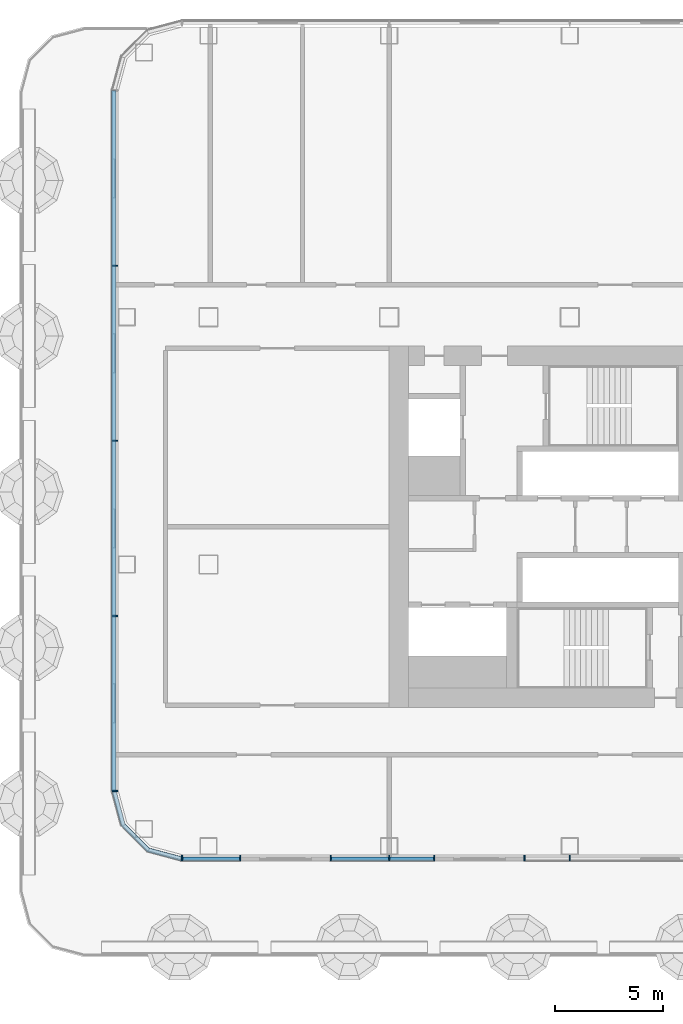
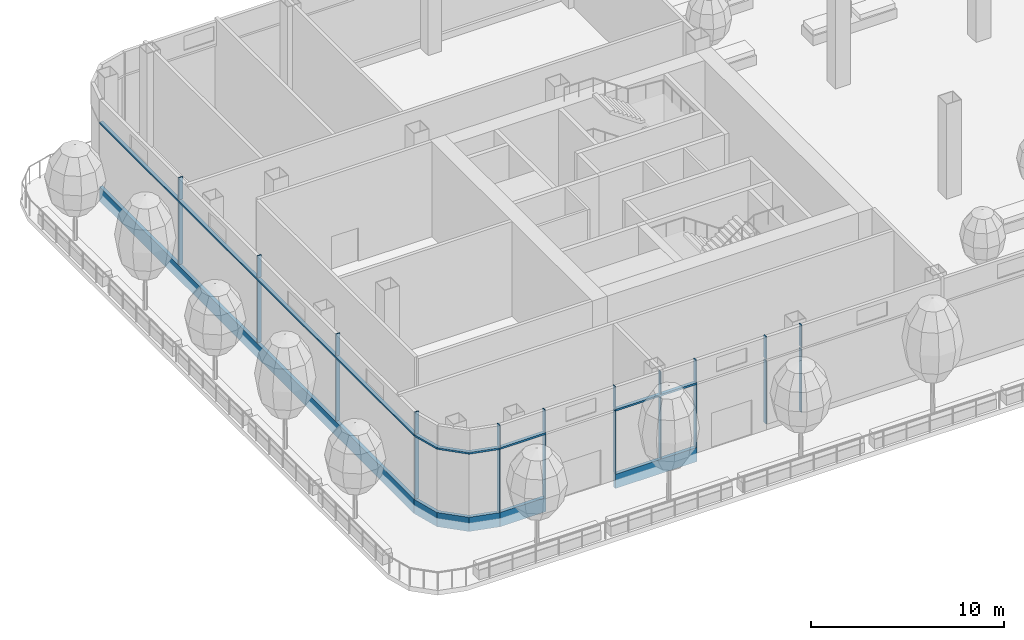
# One storey, part 2 of 44: 30 members, 3 elements without a shape of their own.
"""IFC4 building model written with IfcOpenShell, lengths in metres."""

from ifc_helpers import new_model, si_unit, direction, frame, origin, origin_2d, place, context, subcontext, project, spatial, polyline, rectangle, outline, extrude, material, layer, layer_set, material_profile, profile_set, type_object, element, aggregate, save


model = new_model("IFC4")

# Units and contexts
model_context = context("Model", 3, precision=1e-05, world=origin(), true_north=direction((0.0, 1.0)))
body_context = subcontext(model_context, "Body", "Model", "MODEL_VIEW")
ifc_project = project(units=[si_unit("LENGTHUNIT", "METRE"), si_unit("AREAUNIT", "SQUARE_METRE"), si_unit("VOLUMEUNIT", "CUBIC_METRE"), si_unit("PLANEANGLEUNIT", "RADIAN"), si_unit("MASSUNIT", "GRAM", prefix="KILO")], contexts=[model_context])

# Site, building, storey
site_placement = place(None, origin())
site = spatial("IfcSite", under=ifc_project, at=site_placement, CompositionType="ELEMENT")
building_placement = place(site_placement, origin())
building = spatial("IfcBuilding", under=site, at=building_placement, Name="Hakoniwa Tower and Hamabe Station Hall", CompositionType="ELEMENT")
storey_placement = place(building_placement, frame((0.0, 0.0, 69.0)))
storey = spatial("IfcBuildingStorey", under=building, at=storey_placement, Name="L19", CompositionType="ELEMENT", Elevation=69.0)

# Curtain wall, member
ifc_material_1 = material(Name="Dark low-e laminated glass", Category="glass")
ifc_layer = layer(ifc_material_1, 0.199951171875)
ifc_layer_set = layer_set([ifc_layer], Name="CW-2 SKY GARDEN")
curtain_wall_type = type_object("IfcCurtainWallType", Name="CW-2 SKY GARDEN", PredefinedType="NOTDEFINED", material=ifc_layer_set)
curtain_wall_1_placement = place(storey_placement, origin())
curtain_wall_1 = element("IfcCurtainWall", 1, at=curtain_wall_1_placement, inside=storey, type_object=curtain_wall_type, Name="CW-2 curtain wall", PredefinedType="NOTDEFINED")
ifc_material_2 = material(Name="Aluminium 6063-T5 black anodised", Category="aluminium")
ifc_material_profile_1 = material_profile(ifc_material_2, rectangle(XDim=0.199951171875, YDim=0.1201171875, at=origin_2d()), Name="CW MID TRANSOM 120X200")
ifc_profile_set_1 = profile_set([ifc_material_profile_1], Name="Aluminium 6063-T5 black anodised")
member_type_1 = type_object("IfcMemberType", Name="CW MID TRANSOM 120X200", PredefinedType="USERDEFINED", material=ifc_profile_set_1)
member_1_placement = place(storey_placement, frame((-46.39990234375, 20.28955078125, 4.389892578125), z_axis=(0.0, -1.0, 0.0), x_axis=(1.0, 0.0, 0.0)))
member_1 = element("IfcMember", 2, at=member_1_placement, type_object=member_type_1, Name="CW-2 transom", ObjectType="TRANSOM", PredefinedType="USERDEFINED", context=body_context, shape_type="SweptSolid", body=[
    extrude(rectangle(XDim=0.199951171875, YDim=0.1201171875, at=origin_2d()), origin(), (0.0, 0.0, 1.0), 32.5791015625),
])

curtain_wall_2_placement = place(storey_placement, origin())
curtain_wall_2 = element("IfcCurtainWall", 3, at=curtain_wall_2_placement, inside=storey, type_object=curtain_wall_type, Name="CW-2 curtain wall", PredefinedType="NOTDEFINED")
member_2_placement = place(storey_placement, frame((0.0, 0.0, 4.330078125)))
member_2 = element("IfcMember", 4, at=member_2_placement, type_object=member_type_1, Name="CW-2 transom", ObjectType="TRANSOM", PredefinedType="USERDEFINED", context=body_context, shape_type="SweptSolid", body=[
    extrude(outline(polyline([(-46.5, -12.28955078125), (-46.067138671875, -13.9052734375), (-44.855224609375, -15.116943359375), (-43.239501953125, -15.550048828125), (-43.187744140625, -15.35693359375), (-44.751708984375, -14.937744140625), (-45.8876953125, -13.8017578125), (-46.306884765625, -12.23779296875), (-46.5, -12.28955078125)])), origin(), (0.0, 0.0, 1.0), 0.119873046875),
])

# Curtain wall, members
curtain_wall_3_placement = place(storey_placement, origin())
curtain_wall_3 = element("IfcCurtainWall", 5, at=curtain_wall_3_placement, inside=storey, type_object=curtain_wall_type, Name="CW-2 curtain wall", PredefinedType="NOTDEFINED")
member_3_placement = place(storey_placement, frame((-43.239501953125, -15.449951171875, 4.389892578125), z_axis=(1.0, 0.0, 0.0), x_axis=(0.0, 1.0, 0.0)))
member_3 = element("IfcMember", 6, at=member_3_placement, type_object=member_type_1, Name="CW-2 transom", ObjectType="TRANSOM", PredefinedType="USERDEFINED", context=body_context, shape_type="SweptSolid", body=[
    extrude(rectangle(XDim=0.199951171875, YDim=0.1201171875, at=origin_2d()), origin(), (0.0, 0.0, 1.0), 2.749755859375),
])
member_4_placement = place(storey_placement, frame((-36.349853515625, -15.449951171875, 4.389892578125), z_axis=(1.0, 0.0, 0.0), x_axis=(0.0, 1.0, 0.0)))
member_4 = element("IfcMember", 7, at=member_4_placement, type_object=member_type_1, Name="CW-2 transom", ObjectType="TRANSOM", PredefinedType="USERDEFINED", context=body_context, shape_type="SweptSolid", body=[
    extrude(rectangle(XDim=0.199951171875, YDim=0.1201171875, at=origin_2d()), origin(), (0.0, 0.0, 1.0), 4.8798828125),
])

# Member
ifc_material_3 = material(Name="Aluminium 6063-T5 black anodised", Category="aluminium")
ifc_material_profile_2 = material_profile(ifc_material_3, rectangle(XDim=0.199951171875, YDim=0.89990234375, at=origin_2d()), Name="CW SLAB-EDGE BAND 900X200")
ifc_profile_set_2 = profile_set([ifc_material_profile_2], Name="Aluminium 6063-T5 black anodised")
member_type_2 = type_object("IfcMemberType", Name="CW SLAB-EDGE BAND 900X200", PredefinedType="USERDEFINED", material=ifc_profile_set_2)
member_5_placement = place(storey_placement, frame((-46.39990234375, 20.28955078125, -0.10009765625), z_axis=(0.0, -1.0, 0.0), x_axis=(1.0, 0.0, 0.0)))
member_5 = element("IfcMember", 8, at=member_5_placement, type_object=member_type_2, Name="CW-2 transom", ObjectType="TRANSOM", PredefinedType="USERDEFINED", context=body_context, shape_type="SweptSolid", body=[
    extrude(rectangle(XDim=0.199951171875, YDim=0.89990234375, at=origin_2d()), origin(), (0.0, 0.0, 1.0), 32.5791015625),
])

member_6_placement = place(storey_placement, frame((0.0, 0.0, -0.550048828125)))
member_6 = element("IfcMember", 9, at=member_6_placement, type_object=member_type_2, Name="CW-2 transom", ObjectType="TRANSOM", PredefinedType="USERDEFINED", context=body_context, shape_type="SweptSolid", body=[
    extrude(outline(polyline([(-46.5, -12.28955078125), (-46.067138671875, -13.9052734375), (-44.855224609375, -15.116943359375), (-43.239501953125, -15.550048828125), (-43.187744140625, -15.35693359375), (-44.751708984375, -14.937744140625), (-45.8876953125, -13.8017578125), (-46.306884765625, -12.23779296875), (-46.5, -12.28955078125)])), origin(), (0.0, 0.0, 1.0), 0.900146484375),
])

aggregate(curtain_wall_2, [member_6, member_2])

member_7_placement = place(storey_placement, frame((-43.239501953125, -15.449951171875, -0.10009765625), z_axis=(1.0, 0.0, 0.0), x_axis=(0.0, 1.0, 0.0)))
member_7 = element("IfcMember", 10, at=member_7_placement, type_object=member_type_2, Name="CW-2 transom", ObjectType="TRANSOM", PredefinedType="USERDEFINED", context=body_context, shape_type="SweptSolid", body=[
    extrude(rectangle(XDim=0.199951171875, YDim=0.89990234375, at=origin_2d()), origin(), (0.0, 0.0, 1.0), 2.749755859375),
])

member_8_placement = place(storey_placement, frame((-36.349853515625, -15.449951171875, -0.10009765625), z_axis=(1.0, 0.0, 0.0), x_axis=(0.0, 1.0, 0.0)))
member_8 = element("IfcMember", 11, at=member_8_placement, type_object=member_type_2, Name="CW-2 transom", ObjectType="TRANSOM", PredefinedType="USERDEFINED", context=body_context, shape_type="SweptSolid", body=[
    extrude(rectangle(XDim=0.199951171875, YDim=0.89990234375, at=origin_2d()), origin(), (0.0, 0.0, 1.0), 4.8798828125),
])

ifc_material_4 = material(Name="Aluminium 6063-T5 black anodised", Category="aluminium")
ifc_material_profile_3 = material_profile(ifc_material_4, rectangle(XDim=0.06005859375, YDim=0.239990234375, at=origin_2d()), Name="CW-2 MULLION 60X240")
ifc_profile_set_3 = profile_set([ifc_material_profile_3], Name="Aluminium 6063-T5 black anodised")
member_type_3 = type_object("IfcMemberType", Name="CW-2 MULLION 60X240", PredefinedType="MULLION", material=ifc_profile_set_3)
member_9_placement = place(storey_placement, frame((-46.35205078125, 12.144775390625, 0.35009765625), z_axis=(0.0, 0.0, 1.0), x_axis=(0.0, -1.0, 0.0)))
member_9 = element("IfcMember", 12, at=member_9_placement, type_object=member_type_3, Name="CW-2 mullion", PredefinedType="MULLION", context=body_context, shape_type="SweptSolid", body=[
    extrude(rectangle(XDim=0.06005859375, YDim=0.239990234375, at=origin_2d()), origin(), (0.0, 0.0, 1.0), 3.97998046875),
])

member_10_placement = place(storey_placement, frame((-46.35205078125, 12.144775390625, 4.449951171875), z_axis=(0.0, 0.0, 1.0), x_axis=(0.0, -1.0, 0.0)))
member_10 = element("IfcMember", 13, at=member_10_placement, type_object=member_type_3, Name="CW-2 mullion", PredefinedType="MULLION", context=body_context, shape_type="SweptSolid", body=[
    extrude(rectangle(XDim=0.06005859375, YDim=0.239990234375, at=origin_2d()), origin(), (0.0, 0.0, 1.0), 1.400146484375),
])

member_11_placement = place(storey_placement, frame((-46.35205078125, 4.0, 0.35009765625), z_axis=(0.0, 0.0, 1.0), x_axis=(0.0, -1.0, 0.0)))
member_11 = element("IfcMember", 14, at=member_11_placement, type_object=member_type_3, Name="CW-2 mullion", PredefinedType="MULLION", context=body_context, shape_type="SweptSolid", body=[
    extrude(rectangle(XDim=0.06005859375, YDim=0.239990234375, at=origin_2d()), origin(), (0.0, 0.0, 1.0), 3.97998046875),
])

member_12_placement = place(storey_placement, frame((-46.35205078125, 4.0, 4.449951171875), z_axis=(0.0, 0.0, 1.0), x_axis=(0.0, -1.0, 0.0)))
member_12 = element("IfcMember", 15, at=member_12_placement, type_object=member_type_3, Name="CW-2 mullion", PredefinedType="MULLION", context=body_context, shape_type="SweptSolid", body=[
    extrude(rectangle(XDim=0.06005859375, YDim=0.239990234375, at=origin_2d()), origin(), (0.0, 0.0, 1.0), 1.400146484375),
])

member_13_placement = place(storey_placement, frame((-46.35205078125, -4.144775390625, 0.35009765625), z_axis=(0.0, 0.0, 1.0), x_axis=(0.0, -1.0, 0.0)))
member_13 = element("IfcMember", 16, at=member_13_placement, type_object=member_type_3, Name="CW-2 mullion", PredefinedType="MULLION", context=body_context, shape_type="SweptSolid", body=[
    extrude(rectangle(XDim=0.06005859375, YDim=0.239990234375, at=origin_2d()), origin(), (0.0, 0.0, 1.0), 3.97998046875),
])

member_14_placement = place(storey_placement, frame((-46.35205078125, -4.144775390625, 4.449951171875), z_axis=(0.0, 0.0, 1.0), x_axis=(0.0, -1.0, 0.0)))
member_14 = element("IfcMember", 17, at=member_14_placement, type_object=member_type_3, Name="CW-2 mullion", PredefinedType="MULLION", context=body_context, shape_type="SweptSolid", body=[
    extrude(rectangle(XDim=0.06005859375, YDim=0.239990234375, at=origin_2d()), origin(), (0.0, 0.0, 1.0), 1.400146484375),
])

member_15_placement = place(storey_placement, frame((-46.35205078125, -12.28955078125, 0.35009765625), z_axis=(0.0, 0.0, 1.0), x_axis=(0.0, -1.0, 0.0)))
member_15 = element("IfcMember", 18, at=member_15_placement, type_object=member_type_3, Name="CW-2 mullion", PredefinedType="MULLION", context=body_context, shape_type="SweptSolid", body=[
    extrude(rectangle(XDim=0.06005859375, YDim=0.239990234375, at=origin_2d()), origin(), (0.0, 0.0, 1.0), 3.97998046875),
])

member_16_placement = place(storey_placement, frame((-46.35205078125, -12.28955078125, 4.449951171875), z_axis=(0.0, 0.0, 1.0), x_axis=(0.0, -1.0, 0.0)))
member_16 = element("IfcMember", 19, at=member_16_placement, type_object=member_type_3, Name="CW-2 mullion", PredefinedType="MULLION", context=body_context, shape_type="SweptSolid", body=[
    extrude(rectangle(XDim=0.06005859375, YDim=0.239990234375, at=origin_2d()), origin(), (0.0, 0.0, 1.0), 1.400146484375),
])

aggregate(curtain_wall_1, [member_9, member_10, member_11, member_12, member_13, member_14, member_15, member_16, member_5, member_1])

member_17_placement = place(storey_placement, frame((-43.239501953125, -15.402099609375, 0.35009765625), z_axis=(0.0, 0.0, 1.0), x_axis=(1.0, 0.0, 0.0)))
member_17 = element("IfcMember", 20, at=member_17_placement, type_object=member_type_3, Name="CW-2 mullion", PredefinedType="MULLION", context=body_context, shape_type="SweptSolid", body=[
    extrude(rectangle(XDim=0.06005859375, YDim=0.239990234375, at=origin_2d()), origin(), (0.0, 0.0, 1.0), 3.97998046875),
])

member_18_placement = place(storey_placement, frame((-43.239501953125, -15.402099609375, 4.449951171875), z_axis=(0.0, 0.0, 1.0), x_axis=(1.0, 0.0, 0.0)))
member_18 = element("IfcMember", 21, at=member_18_placement, type_object=member_type_3, Name="CW-2 mullion", PredefinedType="MULLION", context=body_context, shape_type="SweptSolid", body=[
    extrude(rectangle(XDim=0.06005859375, YDim=0.239990234375, at=origin_2d()), origin(), (0.0, 0.0, 1.0), 1.400146484375),
])

member_19_placement = place(storey_placement, frame((-40.519775390625, -15.402099609375, 0.35009765625), z_axis=(0.0, 0.0, 1.0), x_axis=(1.0, 0.0, 0.0)))
member_19 = element("IfcMember", 22, at=member_19_placement, type_object=member_type_3, Name="CW-2 mullion", PredefinedType="MULLION", context=body_context, shape_type="SweptSolid", body=[
    extrude(rectangle(XDim=0.06005859375, YDim=0.239990234375, at=origin_2d()), origin(), (0.0, 0.0, 1.0), 3.97998046875),
])

member_20_placement = place(storey_placement, frame((-40.519775390625, -15.402099609375, 4.449951171875), z_axis=(0.0, 0.0, 1.0), x_axis=(1.0, 0.0, 0.0)))
member_20 = element("IfcMember", 23, at=member_20_placement, type_object=member_type_3, Name="CW-2 mullion", PredefinedType="MULLION", context=body_context, shape_type="SweptSolid", body=[
    extrude(rectangle(XDim=0.06005859375, YDim=0.239990234375, at=origin_2d()), origin(), (0.0, 0.0, 1.0), 1.400146484375),
])

member_21_placement = place(storey_placement, frame((-36.31982421875, -15.402099609375, 0.35009765625), z_axis=(0.0, 0.0, 1.0), x_axis=(1.0, 0.0, 0.0)))
member_21 = element("IfcMember", 24, at=member_21_placement, type_object=member_type_3, Name="CW-2 mullion", PredefinedType="MULLION", context=body_context, shape_type="SweptSolid", body=[
    extrude(rectangle(XDim=0.06005859375, YDim=0.239990234375, at=origin_2d()), origin(), (0.0, 0.0, 1.0), 3.97998046875),
])

member_22_placement = place(storey_placement, frame((-36.31982421875, -15.402099609375, 4.449951171875), z_axis=(0.0, 0.0, 1.0), x_axis=(1.0, 0.0, 0.0)))
member_22 = element("IfcMember", 25, at=member_22_placement, type_object=member_type_3, Name="CW-2 mullion", PredefinedType="MULLION", context=body_context, shape_type="SweptSolid", body=[
    extrude(rectangle(XDim=0.06005859375, YDim=0.239990234375, at=origin_2d()), origin(), (0.0, 0.0, 1.0), 1.400146484375),
])

member_23_placement = place(storey_placement, frame((-33.60009765625, -15.402099609375, 0.35009765625), z_axis=(0.0, 0.0, 1.0), x_axis=(1.0, 0.0, 0.0)))
member_23 = element("IfcMember", 26, at=member_23_placement, type_object=member_type_3, Name="CW-2 mullion", PredefinedType="MULLION", context=body_context, shape_type="SweptSolid", body=[
    extrude(rectangle(XDim=0.06005859375, YDim=0.239990234375, at=origin_2d()), origin(), (0.0, 0.0, 1.0), 3.97998046875),
])

member_24_placement = place(storey_placement, frame((-33.60009765625, -15.402099609375, 4.449951171875), z_axis=(0.0, 0.0, 1.0), x_axis=(1.0, 0.0, 0.0)))
member_24 = element("IfcMember", 27, at=member_24_placement, type_object=member_type_3, Name="CW-2 mullion", PredefinedType="MULLION", context=body_context, shape_type="SweptSolid", body=[
    extrude(rectangle(XDim=0.06005859375, YDim=0.239990234375, at=origin_2d()), origin(), (0.0, 0.0, 1.0), 1.400146484375),
])

member_25_placement = place(storey_placement, frame((-31.5, -15.402099609375, 0.35009765625), z_axis=(0.0, 0.0, 1.0), x_axis=(1.0, 0.0, 0.0)))
member_25 = element("IfcMember", 28, at=member_25_placement, type_object=member_type_3, Name="CW-2 mullion", PredefinedType="MULLION", context=body_context, shape_type="SweptSolid", body=[
    extrude(rectangle(XDim=0.06005859375, YDim=0.239990234375, at=origin_2d()), origin(), (0.0, 0.0, 1.0), 3.97998046875),
])

member_26_placement = place(storey_placement, frame((-31.5, -15.402099609375, 4.449951171875), z_axis=(0.0, 0.0, 1.0), x_axis=(1.0, 0.0, 0.0)))
member_26 = element("IfcMember", 29, at=member_26_placement, type_object=member_type_3, Name="CW-2 mullion", PredefinedType="MULLION", context=body_context, shape_type="SweptSolid", body=[
    extrude(rectangle(XDim=0.06005859375, YDim=0.239990234375, at=origin_2d()), origin(), (0.0, 0.0, 1.0), 1.400146484375),
])

member_27_placement = place(storey_placement, frame((-27.300048828125, -15.402099609375, 0.35009765625), z_axis=(0.0, 0.0, 1.0), x_axis=(1.0, 0.0, 0.0)))
member_27 = element("IfcMember", 30, at=member_27_placement, type_object=member_type_3, Name="CW-2 mullion", PredefinedType="MULLION", context=body_context, shape_type="SweptSolid", body=[
    extrude(rectangle(XDim=0.06005859375, YDim=0.239990234375, at=origin_2d()), origin(), (0.0, 0.0, 1.0), 3.97998046875),
])

member_28_placement = place(storey_placement, frame((-27.300048828125, -15.402099609375, 4.449951171875), z_axis=(0.0, 0.0, 1.0), x_axis=(1.0, 0.0, 0.0)))
member_28 = element("IfcMember", 31, at=member_28_placement, type_object=member_type_3, Name="CW-2 mullion", PredefinedType="MULLION", context=body_context, shape_type="SweptSolid", body=[
    extrude(rectangle(XDim=0.06005859375, YDim=0.239990234375, at=origin_2d()), origin(), (0.0, 0.0, 1.0), 1.400146484375),
])

member_29_placement = place(storey_placement, frame((-25.199951171875, -15.402099609375, 0.35009765625), z_axis=(0.0, 0.0, 1.0), x_axis=(1.0, 0.0, 0.0)))
member_29 = element("IfcMember", 32, at=member_29_placement, type_object=member_type_3, Name="CW-2 mullion", PredefinedType="MULLION", context=body_context, shape_type="SweptSolid", body=[
    extrude(rectangle(XDim=0.06005859375, YDim=0.239990234375, at=origin_2d()), origin(), (0.0, 0.0, 1.0), 3.97998046875),
])

member_30_placement = place(storey_placement, frame((-25.199951171875, -15.402099609375, 4.449951171875), z_axis=(0.0, 0.0, 1.0), x_axis=(1.0, 0.0, 0.0)))
member_30 = element("IfcMember", 33, at=member_30_placement, type_object=member_type_3, Name="CW-2 mullion", PredefinedType="MULLION", context=body_context, shape_type="SweptSolid", body=[
    extrude(rectangle(XDim=0.06005859375, YDim=0.239990234375, at=origin_2d()), origin(), (0.0, 0.0, 1.0), 1.400146484375),
])

aggregate(curtain_wall_3, [member_17, member_18, member_19, member_20, member_21, member_22, member_23, member_24, member_25, member_26, member_27, member_28, member_29, member_30, member_7, member_3, member_8, member_4])

save(model, "model.ifc")
